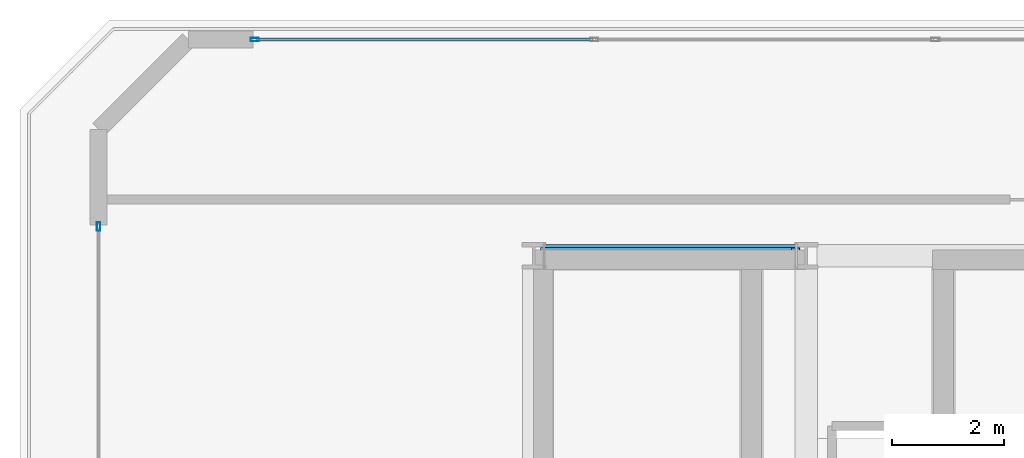
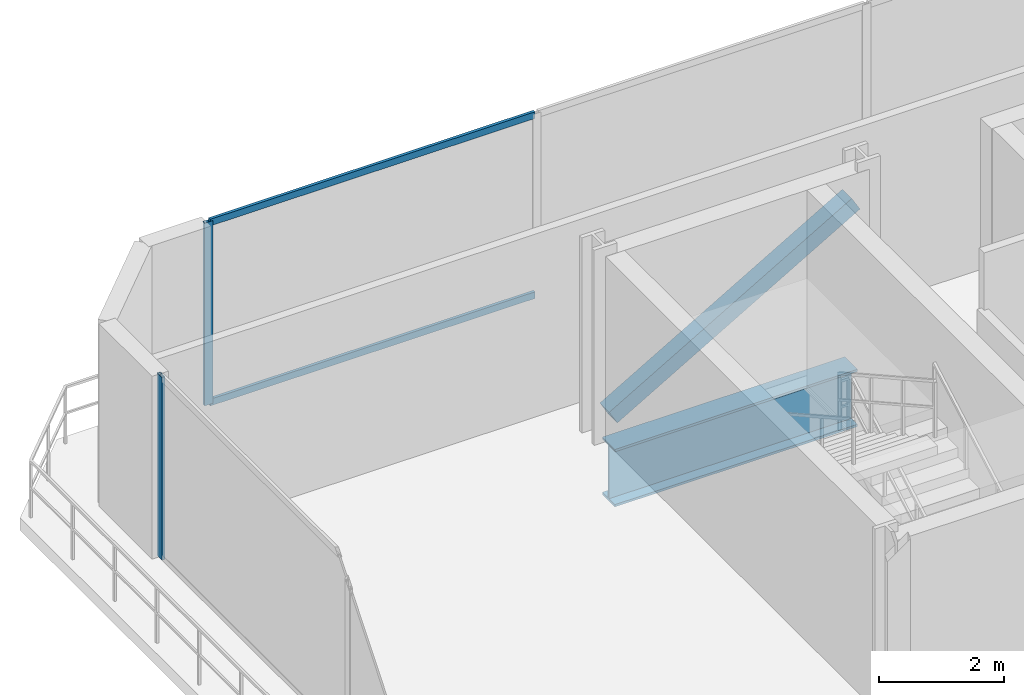
# One storey, part 9 of 19: 5 members, 1 beam, 2 elements without a shape of their own.
"""IFC4 building model written with IfcOpenShell, lengths in metres."""

from ifc_helpers import new_model, si_unit, direction, frame, origin, origin_2d, place, context, subcontext, project, spatial, hollow_rectangle, i_section, extrude, material, layer, layer_set, material_profile, profile_set, type_object, element, aggregate, save


model = new_model("IFC4")

# Units and contexts
model_context = context("Model", 3, precision=1e-05, world=origin(), true_north=direction((0.0, 1.0)))
body_context = subcontext(model_context, "Body", "Model", "MODEL_VIEW")
ifc_project = project(units=[si_unit("LENGTHUNIT", "METRE"), si_unit("AREAUNIT", "SQUARE_METRE"), si_unit("VOLUMEUNIT", "CUBIC_METRE"), si_unit("PLANEANGLEUNIT", "RADIAN"), si_unit("MASSUNIT", "GRAM", prefix="KILO")], contexts=[model_context])

# Site, building, storey
site_placement = place(None, origin())
site = spatial("IfcSite", under=ifc_project, at=site_placement, CompositionType="ELEMENT")
building_placement = place(site_placement, origin())
building = spatial("IfcBuilding", under=site, at=building_placement, Name="Zuhayl Quay Hotel", CompositionType="ELEMENT")
storey_placement = place(building_placement, frame((0.0, 0.0, 304.85009765625)))
storey = spatial("IfcBuildingStorey", under=building, at=storey_placement, Name="Crown 3", CompositionType="ELEMENT", Elevation=304.85009765625)

# Beam
ifc_material_1 = material(Name="Steel ASTM A913 Grade 65", Category="steel")
ifc_material_profile_1 = material_profile(ifc_material_1, i_section(OverallWidth=0.404052734375, OverallDepth=1.117919921875, WebThickness=0.026123046875, FlangeThickness=0.044921875, at=origin_2d()), Name="W44X335")
ifc_profile_set_1 = profile_set([ifc_material_profile_1], Name="Steel ASTM A913 Grade 65")
beam_type = type_object("IfcBeamType", Name="BM_TG1_W44X335", PredefinedType="BEAM", material=ifc_profile_set_1)
beam_placement = place(storey_placement, frame((-9.260009765625, 34.449951171875, -0.799072265625), z_axis=(1.0, 0.0, 0.0), x_axis=(0.0, 1.0, 0.0)))
element("IfcBeam", 1, at=beam_placement, inside=storey, type_object=beam_type, Name="Crown 3 Floor Beam CR_EW_3_2_1", PredefinedType="BEAM", context=body_context, shape_type="SweptSolid", body=[
    extrude(i_section(OverallWidth=0.404052734375, OverallDepth=1.117919921875, WebThickness=0.026123046875, FlangeThickness=0.044921875, at=origin_2d()), origin(), (0.0, 0.0, 1.0), 4.469970703125),
])

# Member
ifc_material_2 = material(Name="Steel ASTM A500 Grade C", Category="steel")
ifc_material_profile_2 = material_profile(ifc_material_2, hollow_rectangle(XDim=0.300048828125, YDim=0.300048828125, WallThickness=0.012451171875, at=origin_2d()), Name="HSS300X300X12")
ifc_profile_set_2 = profile_set([ifc_material_profile_2], Name="Steel ASTM A500 Grade C")
member_type_1 = type_object("IfcMemberType", Name="MB_CR_BRACE_HSS300", PredefinedType="BRACE", material=ifc_profile_set_2)
member_1_placement = place(storey_placement, frame((-9.260009765625, 34.449951171875, 0.349853515625), z_axis=(0.864399824179, 0.0, 0.50280507551), x_axis=(0.0, 1.0, 0.0)))
element("IfcMember", 2, at=member_1_placement, inside=storey, type_object=member_type_1, Name="Crown 3 Crown Lateral Brace CD1", PredefinedType="BRACE", context=body_context, shape_type="SweptSolid", body=[
    extrude(hollow_rectangle(XDim=0.300048828125, YDim=0.300048828125, WallThickness=0.012451171875, at=origin_2d()), origin(), (0.0, 0.0, 1.0), 5.171142578125),
])

# Curtain wall, member
ifc_material_3 = material(Name="Anodised Aluminium 6063-T6", Category="aluminium")
ifc_layer = layer(ifc_material_3, 0.159912109375, Name="Anodised Aluminium 6063-T6", Category="aluminium")
ifc_layer_set = layer_set([ifc_layer], Name="Anodised Aluminium 6063-T6")
curtain_wall_type = type_object("IfcCurtainWallType", Name="CW_SYS_CRN", PredefinedType="USERDEFINED", material=ifc_layer_set)
curtain_wall_1_placement = place(storey_placement, origin())
curtain_wall_1 = element("IfcCurtainWall", 3, at=curtain_wall_1_placement, inside=storey, type_object=curtain_wall_type, Name="Crown 3 Curtain Wall ENV_CR3_E1_CW1", ObjectType="UNITISED CURTAIN WALL", PredefinedType="USERDEFINED")
ifc_material_4 = material(Name="Black-anodised aluminium 6063-T6", Category="aluminium")
ifc_material_profile_3 = material_profile(ifc_material_4, hollow_rectangle(XDim=0.06005859375, YDim=0.14990234375, WallThickness=0.00341796875, at=origin_2d()), Name="ALU150X60")
ifc_profile_set_3 = profile_set([ifc_material_profile_3], Name="Black-anodised aluminium 6063-T6")
member_type_2 = type_object("IfcMemberType", Name="MB_CW_MUL_150", PredefinedType="MULLION", material=ifc_profile_set_3)
member_2_placement = place(storey_placement, frame((-17.199951171875, 34.969970703125, 0.0), z_axis=(0.0, 0.0, 1.0), x_axis=(-1.0, 0.0, 0.0)))
member_2 = element("IfcMember", 4, at=member_2_placement, type_object=member_type_2, Name="CW-CRN mullion 5", PredefinedType="MULLION", context=body_context, shape_type="SweptSolid", body=[
    extrude(hollow_rectangle(XDim=0.06005859375, YDim=0.14990234375, WallThickness=0.00341796875, at=origin_2d()), origin(), (0.0, 0.0, 1.0), 3.559814453125),
])
aggregate(curtain_wall_1, [member_2])

# Curtain wall, members
curtain_wall_2_placement = place(storey_placement, origin())
curtain_wall_2 = element("IfcCurtainWall", 5, at=curtain_wall_2_placement, inside=storey, type_object=curtain_wall_type, Name="Crown 3 Curtain Wall ENV_CR3_E3_CW1", ObjectType="UNITISED CURTAIN WALL", PredefinedType="USERDEFINED")
member_3_placement = place(storey_placement, frame((-14.419921875, 38.300048828125, 0.0), z_axis=(0.0, 0.0, 1.0), x_axis=(0.0, 1.0, 0.0)))
member_3 = element("IfcMember", 6, at=member_3_placement, type_object=member_type_2, Name="CW-CRN mullion 1", PredefinedType="MULLION", context=body_context, shape_type="SweptSolid", body=[
    extrude(hollow_rectangle(XDim=0.06005859375, YDim=0.14990234375, WallThickness=0.00341796875, at=origin_2d()), origin(), (0.0, 0.0, 1.0), 3.559814453125),
])
ifc_material_profile_4 = material_profile(ifc_material_4, hollow_rectangle(XDim=0.054931640625, YDim=0.1298828125, WallThickness=0.0029296875, at=origin_2d()), Name="ALU130X55")
ifc_profile_set_4 = profile_set([ifc_material_profile_4], Name="Black-anodised aluminium 6063-T6")
member_type_3 = type_object("IfcMemberType", Name="MB_CW_TRN_130", PredefinedType="USERDEFINED", material=ifc_profile_set_4)
member_4_placement = place(storey_placement, frame((-14.389892578125, 38.300048828125, 0.02734375), z_axis=(1.0, 0.0, 0.0), x_axis=(0.0, 1.0, 0.0)))
member_4 = element("IfcMember", 7, at=member_4_placement, type_object=member_type_3, Name="CW-CRN transom 1.1", ObjectType="TRANSOM", PredefinedType="USERDEFINED", context=body_context, shape_type="SweptSolid", body=[
    extrude(hollow_rectangle(XDim=0.054931640625, YDim=0.1298828125, WallThickness=0.0029296875, at=origin_2d()), origin(), (0.0, 0.0, 1.0), 5.98486328125),
])
member_5_placement = place(storey_placement, frame((-14.389892578125, 38.300048828125, 3.532470703125), z_axis=(1.0, 0.0, 0.0), x_axis=(0.0, 1.0, 0.0)))
member_5 = element("IfcMember", 8, at=member_5_placement, type_object=member_type_3, Name="CW-CRN transom 1.2", ObjectType="TRANSOM", PredefinedType="USERDEFINED", context=body_context, shape_type="SweptSolid", body=[
    extrude(hollow_rectangle(XDim=0.054931640625, YDim=0.1298828125, WallThickness=0.0029296875, at=origin_2d()), origin(), (0.0, 0.0, 1.0), 5.98486328125),
])
aggregate(curtain_wall_2, [member_3, member_4, member_5])

save(model, "model.ifc")
